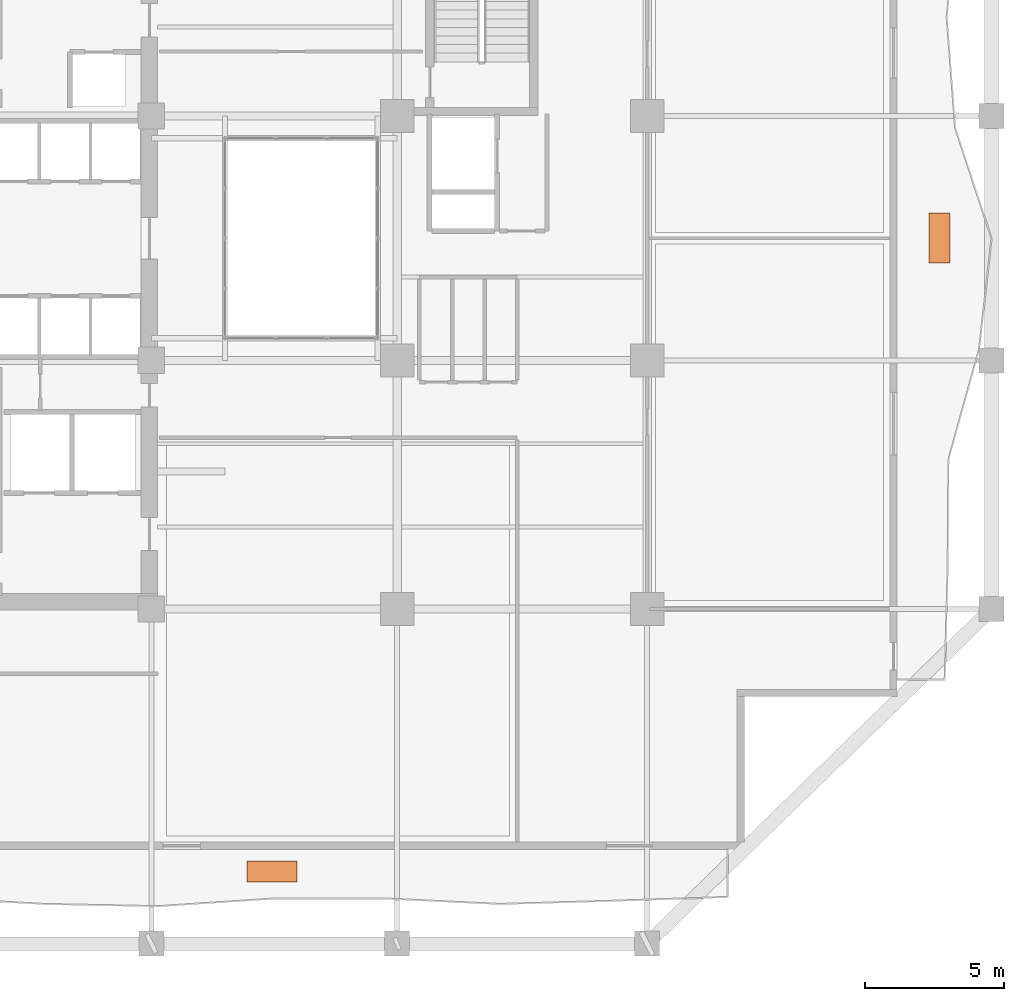
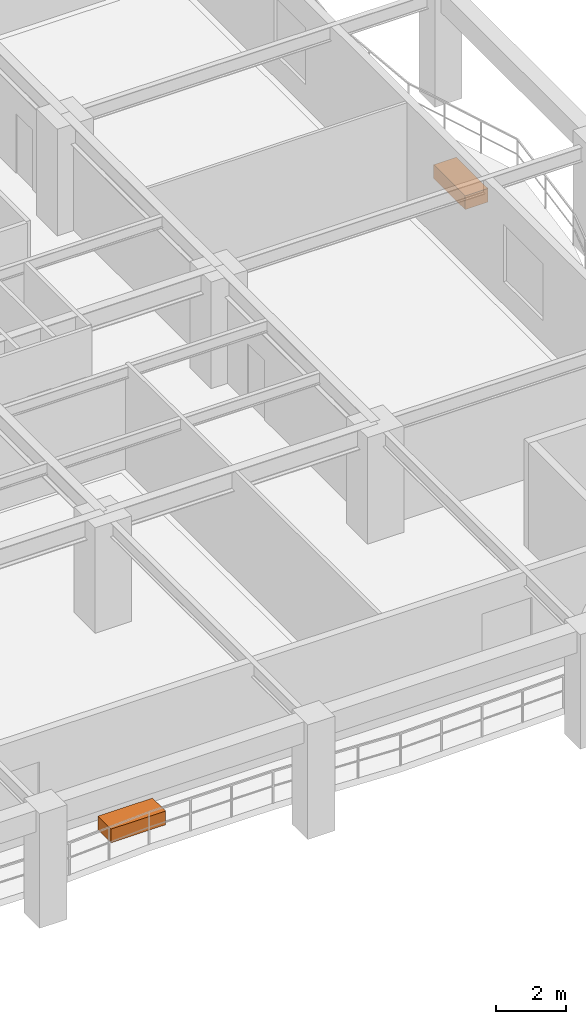
# One storey, part 17 of 17: 2 proxies.
"""IFC4 building model written with IfcOpenShell, lengths in metres."""

import ifcopenshell
import ifcopenshell.guid

model = None  # the IFC model being written
_history = None  # IfcOwnerHistory: only IFC2X3 demands one
_inside = {}  # id of a spatial element -> (the spatial element, [elements in it])
_under = {}  # id of a project, library or spatial element -> (it, [spatial elements below it])
_declared = {}  # id of a project -> (the project, [libraries it declares])
_typed = {}  # id of a type object -> (the type object, [elements of that type])
_made_of = {}  # id of a material, layer set ... -> (it, [elements and type objects made of it])


def new_model(schema):
    """Start an empty IFC model of exactly this schema.

    Asked for "IFC4X3", IfcOpenShell would pick the latest addendum, in which some entities
    have other attributes; the version numbers below select the first issue.
    IFC2X3 requires an IfcOwnerHistory on every rooted entity: one is made here for all.
    """
    global model, _history
    if schema == "IFC4X3":
        model = ifcopenshell.file(schema_version=(4, 3, 0, 0))
    else:
        model = ifcopenshell.file(schema=schema)
    _inside.clear()
    _under.clear()
    _declared.clear()
    _typed.clear()
    _made_of.clear()
    _history = None
    if model.schema == "IFC2X3":
        org = make("IfcOrganization", Name="unknown")
        user = make(
            "IfcPersonAndOrganization",
            ThePerson=make("IfcPerson", FamilyName="unknown"),
            TheOrganization=org,
        )
        app = make(
            "IfcApplication",
            ApplicationDeveloper=org,
            Version="unknown",
            ApplicationFullName="unknown",
            ApplicationIdentifier="unknown",
        )
        _history = make(
            "IfcOwnerHistory",
            OwningUser=user,
            OwningApplication=app,
            ChangeAction="ADDED",
            CreationDate=0,
        )
    return model


def make(cls, **values):
    """One entity of the class cls with the attributes given. An attribute that is None is left unset."""
    return model.create_entity(
        cls, **{name: value for name, value in values.items() if value is not None}
    )


def rooted(cls, **values):
    """An entity with a GlobalId (a new one), such as an element, a storey or a relation."""
    return make(cls, GlobalId=ifcopenshell.guid.new(), OwnerHistory=_history, **values)


def si_unit(unit_type, name, prefix=None):
    """IfcSIUnit, for example si_unit("LENGTHUNIT", "METRE", prefix="MILLI")."""
    return make("IfcSIUnit", UnitType=unit_type, Prefix=prefix, Name=name)


def assignment(units):
    """IfcUnitAssignment: the units of a project."""
    return None if units is None else make("IfcUnitAssignment", Units=units)


def point(xyz):
    """IfcCartesianPoint."""
    return None if xyz is None else make("IfcCartesianPoint", Coordinates=xyz)


def direction(xyz):
    """IfcDirection."""
    return None if xyz is None else make("IfcDirection", DirectionRatios=xyz)


def frame(location, z_axis=None, x_axis=None):
    """IfcAxis2Placement3D, a coordinate frame: its origin and axes. An axis left out is left unset."""
    return make(
        "IfcAxis2Placement3D",
        Location=point(location),
        Axis=direction(z_axis),
        RefDirection=direction(x_axis),
    )


def frame_2d(location, x_axis=None):
    """IfcAxis2Placement2D, a coordinate frame in the plane: its origin and x axis."""
    return make(
        "IfcAxis2Placement2D", Location=point(location), RefDirection=direction(x_axis)
    )


def origin():
    """The frame at (0, 0, 0) with its axes left unset."""
    return frame((0.0, 0.0, 0.0))


def origin_2d():
    """The frame at (0, 0) in the plane with its x axis left unset."""
    return frame_2d((0.0, 0.0))


def place(relative_to, where):
    """IfcLocalPlacement: puts the frame where relative to a parent placement (None: the world)."""
    return make(
        "IfcLocalPlacement", PlacementRelTo=relative_to, RelativePlacement=where
    )


def context(
    kind, dimensions, precision=None, world=None, true_north=None, identifier=None
):
    """IfcGeometricRepresentationContext, for example the 3D "Model" context."""
    return make(
        "IfcGeometricRepresentationContext",
        ContextIdentifier=identifier,
        ContextType=kind,
        CoordinateSpaceDimension=dimensions,
        Precision=precision,
        WorldCoordinateSystem=world,
        TrueNorth=true_north,
    )


def subcontext(parent, identifier, kind, view, scale=None):
    """IfcGeometricRepresentationSubContext, for example "Body" below "Model"."""
    return make(
        "IfcGeometricRepresentationSubContext",
        ContextIdentifier=identifier,
        ContextType=kind,
        ParentContext=parent,
        TargetScale=scale,
        TargetView=view,
    )


def project(units=None, contexts=None):
    """IfcProject with its units and contexts."""
    return rooted(
        "IfcProject",
        Name="project",
        RepresentationContexts=contexts,
        UnitsInContext=assignment(units),
    )


def spatial(cls, under=None, at=None, **own):
    """A site, building, storey or space (cls), placed at a placement, below another one or the project."""
    s = rooted(cls, ObjectPlacement=at, **own)
    if under is not None:
        _under.setdefault(under.id(), (under, []))[1].append(s)
    return s


def profile(cls, at=None, kind="AREA", **sizes):
    """A parametric profile (cls). Its sizes go by their IFC names, for example OverallWidth=200.0."""
    return make(cls, ProfileType=kind, Position=at, **sizes)


def rectangle(**sizes):
    """IfcRectangleProfileDef."""
    return profile("IfcRectangleProfileDef", **sizes)


def extrude(swept, where, along, depth):
    """IfcExtrudedAreaSolid: the profile swept, set in the frame where, extruded along a direction by depth."""
    return make(
        "IfcExtrudedAreaSolid",
        SweptArea=swept,
        Position=where,
        ExtrudedDirection=direction(along),
        Depth=depth,
    )


def shape(context_of_items, identifier, shape_type, items):
    """IfcShapeRepresentation: the items that make up one representation, for example the "Body"."""
    return make(
        "IfcShapeRepresentation",
        ContextOfItems=context_of_items,
        RepresentationIdentifier=identifier,
        RepresentationType=shape_type,
        Items=items,
    )


def material(Name=None, Category=None):
    """IfcMaterial."""
    return make("IfcMaterial", Name=Name, Category=Category)


def made_of(thing, what):
    """Note that an element or type object is made of a material, layer set ...; save() writes the relation."""
    if what is not None:
        _made_of.setdefault(what.id(), (what, []))[1].append(thing)
    return thing


def type_object(cls, material=None, **own):
    """A type object (cls), such as IfcWallType, which elements share."""
    return made_of(rooted(cls, **own), material)


def element(
    cls,
    number,
    at=None,
    inside=None,
    cuts=None,
    type_object=None,
    material=None,
    context=None,
    identifier="Body",
    shape_type=None,
    held_by="IfcProductDefinitionShape",
    body=None,
    shapes=None,
    **own,
):
    """One element of the class cls, such as IfcWall. Its Tag is "e" and its number.

    at: its placement. inside: the storey or other place that contains it. cuts: it is an
    opening in that element (IfcRelVoidsElement). A single representation is given by context,
    identifier, shape_type and body (its items); several are given by shapes. held_by: the class
    of the entity that holds the representations. save() writes the other relations.
    """
    e = rooted(cls, Tag="e%d" % number, ObjectPlacement=at, **own)
    if body is not None:
        shapes = [shape(context, identifier, shape_type, body)]
    if shapes is not None:
        e.Representation = make(held_by, Representations=shapes)
    if inside is not None:
        _inside.setdefault(inside.id(), (inside, []))[1].append(e)
    if cuts is not None:
        rooted(
            "IfcRelVoidsElement", RelatingBuildingElement=cuts, RelatedOpeningElement=e
        )
    if type_object is not None:
        _typed.setdefault(type_object.id(), (type_object, []))[1].append(e)
    return made_of(e, material)


def aggregate(whole, parts):
    """IfcRelAggregates: a whole, such as a stair, and the parts it consists of."""
    return rooted("IfcRelAggregates", RelatingObject=whole, RelatedObjects=parts)


def save(model, path):
    """Write the relations noted so far, then the file.

    IfcRelAggregates (storeys below a building ...), IfcRelContainedInSpatialStructure (elements
    in a storey), IfcRelDefinesByType, IfcRelAssociatesMaterial and IfcRelDeclares: one each for
    every whole, place, type object, material and project.
    """
    for whole, parts in _under.values():
        aggregate(whole, parts)
    for where, things in _inside.values():
        rooted(
            "IfcRelContainedInSpatialStructure",
            RelatedElements=things,
            RelatingStructure=where,
        )
    for kind, things in _typed.values():
        rooted("IfcRelDefinesByType", RelatedObjects=things, RelatingType=kind)
    for what, things in _made_of.values():
        rooted("IfcRelAssociatesMaterial", RelatedObjects=things, RelatingMaterial=what)
    for by, libraries in _declared.values():
        rooted("IfcRelDeclares", RelatingContext=by, RelatedDefinitions=libraries)
    model.write(path)


model = new_model("IFC4")

# Units and contexts
model_context = context("Model", 3, precision=1e-05, world=origin(), true_north=direction((0.0, 1.0)))
body_context = subcontext(model_context, "Body", "Model", "MODEL_VIEW")
ifc_project = project(units=[si_unit("LENGTHUNIT", "METRE"), si_unit("AREAUNIT", "SQUARE_METRE"), si_unit("VOLUMEUNIT", "CUBIC_METRE"), si_unit("PLANEANGLEUNIT", "RADIAN"), si_unit("MASSUNIT", "GRAM", prefix="KILO")], contexts=[model_context])

# Site, building, storey
site_placement = place(None, origin())
site = spatial("IfcSite", under=ifc_project, at=site_placement, CompositionType="ELEMENT")
building_placement = place(site_placement, origin())
building = spatial("IfcBuilding", under=site, at=building_placement, Name="Kundavana Baori Tower", CompositionType="ELEMENT")
storey_placement = place(building_placement, frame((0.0, 0.0, 26.0)))
storey = spatial("IfcBuildingStorey", under=building, at=storey_placement, Name="L05", CompositionType="ELEMENT", Elevation=26.0)

# Proxies
ifc_material = material(Name="Red-Buff Dholpur Sandstone Cladding on Concrete C40/50", Category="masonry")
building_element_proxy_type = type_object("IfcBuildingElementProxyType", Name="PRX-PLANTER-1800", PredefinedType="USERDEFINED", material=ifc_material)
for number, where, z_axis, x_axis, name in (
    (1, (29.300048828125, 5.798095703125, 0.0), (0.0, 0.0, 1.0), (1.0, 0.0, 0.0), "L05 Dholpur Stone Structural Tree Planter S"),
    (2, (53.330078125, 28.60009765625, 0.0), (0.0, 0.0, 1.0), (0.0, 1.0, 0.0), "L05 Dholpur Stone Structural Tree Planter E"),
):
    element("IfcBuildingElementProxy", number, at=place(storey_placement, frame(where, z_axis=z_axis, x_axis=x_axis)), inside=storey, type_object=building_element_proxy_type, Name=name, ObjectType="PLANTER", PredefinedType="USERDEFINED", context=body_context, shape_type="SweptSolid", body=[
        extrude(rectangle(XDim=1.800048828125, YDim=0.75, at=origin_2d()), origin(), (0.0, 0.0, 1.0), 0.47998046875),
    ])

save(model, "model.ifc")
